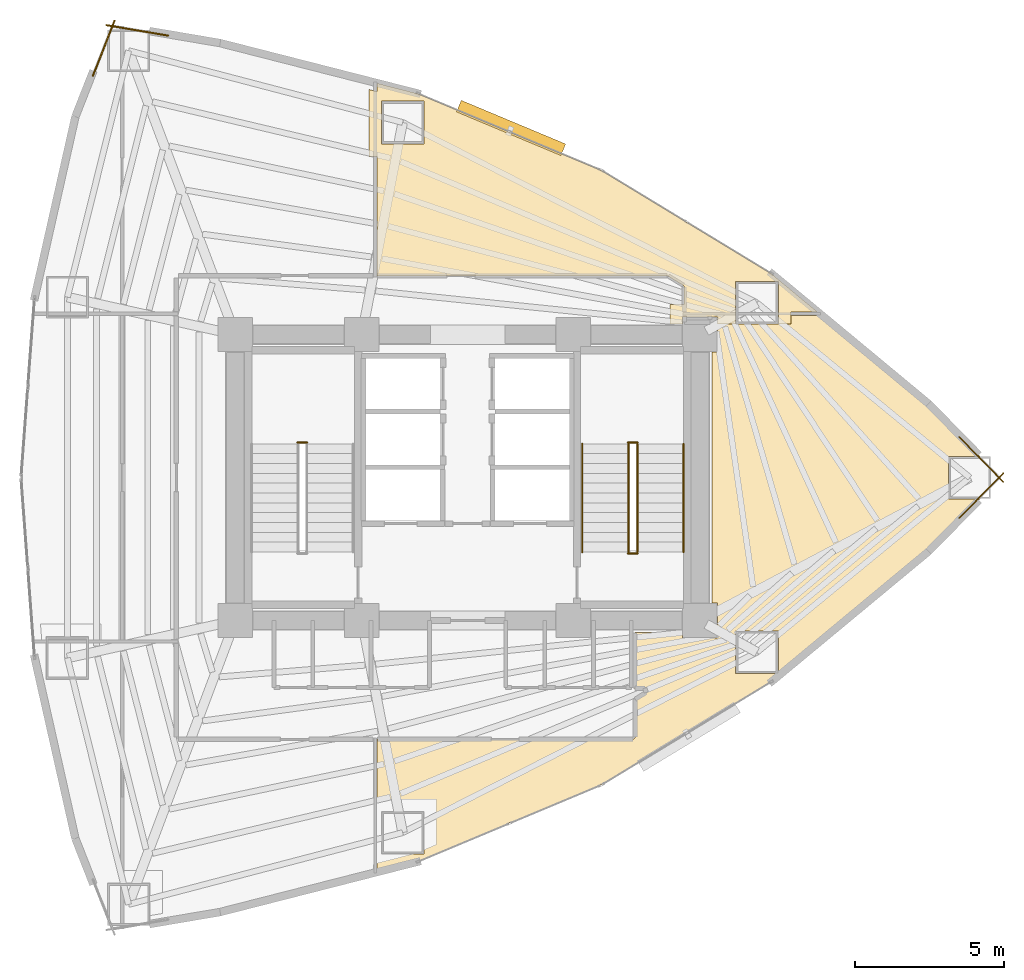
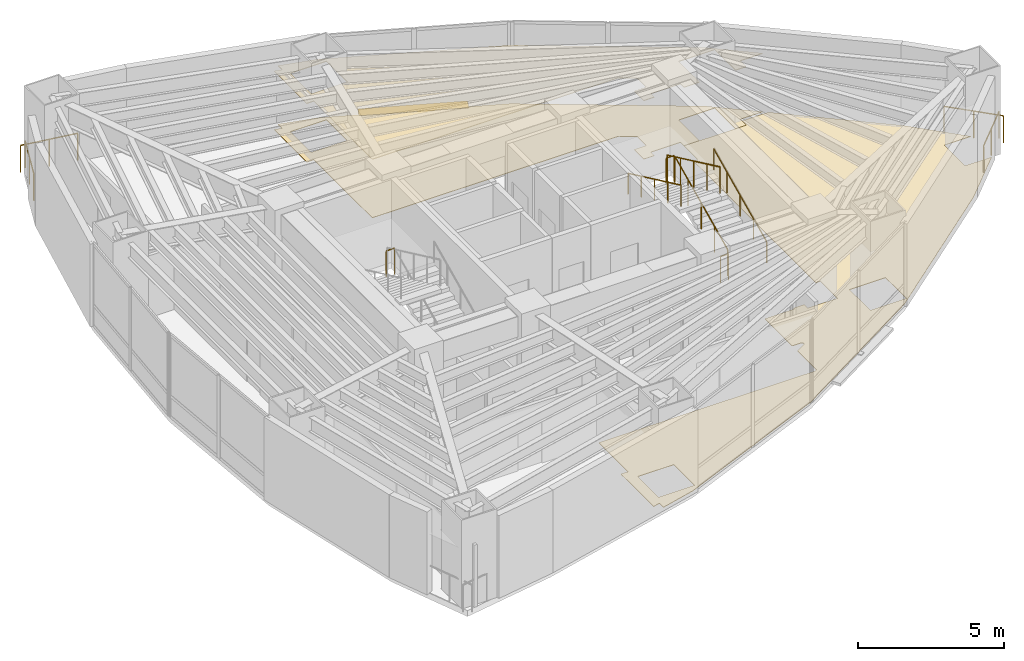
# One storey, part 17 of 17: 11 railings, 3 coverings, 1 shading device.
"""IFC4 building model written with IfcOpenShell, lengths in metres."""

from ifc_helpers import new_model, si_unit, direction, frame, origin, origin_2d, place, context, subcontext, project, spatial, polyline, rectangle, circle, outline, extrude, material, layer, layer_set, type_object, element, save


model = new_model("IFC4")

# Units and contexts
model_context = context("Model", 3, precision=1e-05, world=origin(), true_north=direction((0.0, 1.0)))
body_context = subcontext(model_context, "Body", "Model", "MODEL_VIEW")
ifc_project = project(units=[si_unit("LENGTHUNIT", "METRE"), si_unit("AREAUNIT", "SQUARE_METRE"), si_unit("VOLUMEUNIT", "CUBIC_METRE"), si_unit("PLANEANGLEUNIT", "RADIAN"), si_unit("MASSUNIT", "GRAM", prefix="KILO")], contexts=[model_context])

# Site, building, storey
site_placement = place(None, origin())
site = spatial("IfcSite", under=ifc_project, at=site_placement, CompositionType="ELEMENT")
building_placement = place(site_placement, origin())
building = spatial("IfcBuilding", under=site, at=building_placement, Name="Menara Vayukalpa", CompositionType="ELEMENT")
storey_placement = place(building_placement, frame((0.0, 0.0, 38.760009765625)))
storey = spatial("IfcBuildingStorey", under=building, at=storey_placement, Name="L08", CompositionType="ELEMENT", Elevation=38.760009765625)

# Coverings
ifc_material_1 = material(Name="Mineral Fibre Acoustic Ceiling Tile", Category="masonry")
ifc_layer_1 = layer(ifc_material_1, 0.02490234375)
ifc_layer_set_1 = layer_set([ifc_layer_1], Name="Mineral Fibre Acoustic Ceiling Tile")
covering_type_1 = type_object("IfcCoveringType", Name="COV-CLG1", PredefinedType="CEILING", material=ifc_layer_set_1)
covering_1_placement = place(storey_placement, frame((0.0, 0.0, 2.449951171875)))
element("IfcCovering", 1, at=covering_1_placement, inside=storey, type_object=covering_type_1, Name="L08 Executive Boardroom Acoustic Ceiling", PredefinedType="CEILING", context=body_context, shape_type="SweptSolid", body=[
    extrude(outline(polyline([(36.032958984375, 27.14990234375), (36.032958984375, 28.578125), (34.60302734375, 28.578125), (34.60302734375, 27.14990234375), (34.409912109375, 27.14990234375), (34.18310546875, 27.14990234375), (33.989990234375, 27.14990234375), (33.989990234375, 27.389892578125), (32.81005859375, 27.389892578125), (32.81005859375, 27.14990234375), (32.389892578125, 27.14990234375), (32.389892578125, 27.81005859375), (32.8701171875, 27.81005859375), (32.8701171875, 28.39453125), (32.86962890625, 28.40185546875), (32.868408203125, 28.408935546875), (32.86669921875, 28.416015625), (32.8642578125, 28.422607421875), (32.861083984375, 28.428955078125), (32.857177734375, 28.43505859375), (32.852783203125, 28.440673828125), (32.847900390625, 28.44580078125), (32.84228515625, 28.450439453125), (32.836181640625, 28.45458984375), (32.333984375, 28.759765625), (32.328125, 28.762939453125), (32.322509765625, 28.765380859375), (32.31640625, 28.767333984375), (32.31005859375, 28.768798828125), (32.3037109375, 28.769775390625), (32.297119140625, 28.77001953125), (22.570068359375, 28.77001953125), (22.569091796875, 28.77001953125), (22.568115234375, 28.770263671875), (22.567138671875, 28.7705078125), (22.566162109375, 28.770751953125), (22.565185546875, 28.771240234375), (22.564453125, 28.771728515625), (22.563720703125, 28.772216796875), (22.56298828125, 28.77294921875), (22.562255859375, 28.773681640625), (22.561767578125, 28.7744140625), (22.561279296875, 28.775390625), (22.560791015625, 28.776123046875), (22.560302734375, 28.777099609375), (22.560302734375, 28.778076171875), (22.56005859375, 28.779052734375), (22.56005859375, 28.780029296875), (22.56005859375, 32.787841796875), (22.284423828125, 32.787841796875), (22.284423828125, 35.03076171875), (22.56005859375, 34.96044921875), (22.56005859375, 35.226318359375), (22.56005859375, 35.227294921875), (22.560302734375, 35.228271484375), (22.560302734375, 35.22900390625), (22.560791015625, 35.22998046875), (22.56103515625, 35.23095703125), (22.5615234375, 35.231689453125), (22.562255859375, 35.232421875), (22.562744140625, 35.233154296875), (22.5634765625, 35.23388671875), (22.564208984375, 35.234619140625), (22.565185546875, 35.235107421875), (22.56591796875, 35.2353515625), (22.56689453125, 35.23583984375), (22.567626953125, 35.236083984375), (22.568603515625, 35.236083984375), (22.569580078125, 35.236328125), (22.570556640625, 35.236328125), (22.571533203125, 35.236083984375), (22.572509765625, 35.236083984375), (23.914794921875, 34.893798828125), (23.916015625, 34.893310546875), (30.08984375, 32.310791015625), (30.090576171875, 32.310302734375), (30.09130859375, 32.31005859375), (35.810791015625, 28.835693359375), (35.81201171875, 28.834716796875), (37.327880859375, 27.57763671875), (37.32861328125, 27.576904296875), (37.3291015625, 27.576416015625), (37.32958984375, 27.575439453125), (37.330078125, 27.57470703125), (37.330810546875, 27.57373046875), (37.3310546875, 27.572998046875), (37.331298828125, 27.572021484375), (37.331298828125, 27.57080078125), (37.331298828125, 27.570068359375), (37.331298828125, 27.569091796875), (37.331298828125, 27.568115234375), (37.3310546875, 27.567138671875), (37.33056640625, 27.566162109375), (37.330078125, 27.565185546875), (37.32958984375, 27.564453125), (37.3291015625, 27.563720703125), (37.32861328125, 27.56298828125), (37.32763671875, 27.562255859375), (37.326904296875, 27.561767578125), (37.326171875, 27.561279296875), (37.3251953125, 27.560791015625), (37.32421875, 27.560302734375), (37.3232421875, 27.560302734375), (37.322509765625, 27.56005859375), (37.3212890625, 27.56005859375), (36.452880859375, 27.56005859375), (36.452880859375, 27.14990234375), (36.032958984375, 27.14990234375)]), holes=[polyline([(24.134521484375, 33.207763671875), (24.134521484375, 34.6376953125), (22.704345703125, 34.6376953125), (22.704345703125, 33.207763671875), (24.134521484375, 33.207763671875)])]), origin(), (0.0, 0.0, 1.0), 0.025146484375),
])
ifc_material_2 = material(Name="Porcelain Stoneware Floor Tile", Category="masonry")
ifc_layer_2 = layer(ifc_material_2, 0.02001953125)
ifc_layer_set_2 = layer_set([ifc_layer_2], Name="Porcelain Stoneware Floor Tile")
covering_type_2 = type_object("IfcCoveringType", Name="COV-FLR1", PredefinedType="FLOORING", material=ifc_layer_set_2)
covering_2_placement = place(storey_placement, origin())
element("IfcCovering", 2, at=covering_2_placement, inside=storey, type_object=covering_type_2, Name="L08 Executive Boardroom Porcelain Flooring", PredefinedType="FLOORING", context=body_context, shape_type="SweptSolid", body=[
    extrude(outline(polyline([(22.284423828125, 11.212158203125), (22.56005859375, 11.212158203125), (22.56005859375, 13.2099609375), (22.56005859375, 13.2109375), (22.560302734375, 13.2119140625), (22.560302734375, 13.212890625), (22.560791015625, 13.2138671875), (22.561279296875, 13.214599609375), (22.561767578125, 13.215576171875), (22.562255859375, 13.21630859375), (22.56298828125, 13.217041015625), (22.563720703125, 13.2177734375), (22.564453125, 13.21826171875), (22.565185546875, 13.21875), (22.566162109375, 13.21923828125), (22.567138671875, 13.219482421875), (22.568115234375, 13.2197265625), (22.569091796875, 13.219970703125), (22.570068359375, 13.219970703125), (31.149658203125, 13.219970703125), (31.15673828125, 13.220458984375), (31.163818359375, 13.22119140625), (31.17041015625, 13.222900390625), (31.1767578125, 13.225341796875), (31.18310546875, 13.228271484375), (31.188720703125, 13.231689453125), (31.194580078125, 13.236083984375), (31.199462890625, 13.240478515625), (31.2041015625, 13.24560546875), (31.208251953125, 13.251220703125), (31.2119140625, 13.257080078125), (31.214599609375, 13.26318359375), (31.217041015625, 13.269775390625), (31.21875, 13.2763671875), (31.219482421875, 13.283203125), (31.219970703125, 13.290283203125), (31.219970703125, 14.55810546875), (31.22021484375, 14.55908203125), (31.22021484375, 14.56005859375), (31.220458984375, 14.56103515625), (31.220703125, 14.56201171875), (31.22119140625, 14.56298828125), (31.2216796875, 14.563720703125), (31.222412109375, 14.564697265625), (31.22314453125, 14.565185546875), (31.22412109375, 14.56591796875), (31.224853515625, 14.56640625), (31.5927734375, 14.7900390625), (31.5986328125, 14.794189453125), (31.60400390625, 14.798583984375), (31.60888671875, 14.803466796875), (31.61328125, 14.80908203125), (31.6171875, 14.81494140625), (31.620361328125, 14.821044921875), (31.622802734375, 14.82763671875), (31.624755859375, 14.83447265625), (31.626220703125, 14.84130859375), (31.626708984375, 14.84814453125), (31.62646484375, 14.85498046875), (31.62548828125, 14.862060546875), (31.6240234375, 14.868896484375), (31.621826171875, 14.87548828125), (31.618896484375, 14.8818359375), (31.615478515625, 14.887939453125), (31.611328125, 14.8935546875), (31.606689453125, 14.898681640625), (31.6015625, 14.903564453125), (31.59619140625, 14.90771484375), (31.590087890625, 14.911376953125), (31.583740234375, 14.91455078125), (31.5771484375, 14.916748046875), (31.570556640625, 14.918701171875), (31.563720703125, 14.919677734375), (31.556396484375, 14.919921875), (31.219970703125, 14.919921875), (31.218994140625, 14.919921875), (31.218017578125, 14.920166015625), (31.217041015625, 14.92041015625), (31.21630859375, 14.9208984375), (31.21533203125, 14.921142578125), (31.21435546875, 14.921630859375), (31.213623046875, 14.92236328125), (31.212890625, 14.9228515625), (31.21240234375, 14.923583984375), (31.211669921875, 14.92431640625), (31.211181640625, 14.92529296875), (31.210693359375, 14.92626953125), (31.21044921875, 14.927001953125), (31.210205078125, 14.927978515625), (31.2099609375, 14.928955078125), (31.2099609375, 14.929931640625), (31.2099609375, 16.780029296875), (31.2099609375, 16.781005859375), (31.210205078125, 16.781982421875), (31.21044921875, 16.782958984375), (31.210693359375, 16.78369140625), (31.211181640625, 16.78466796875), (31.211669921875, 16.78564453125), (31.21240234375, 16.786376953125), (31.212890625, 16.787109375), (31.213623046875, 16.78759765625), (31.21435546875, 16.788330078125), (31.21533203125, 16.788818359375), (31.21630859375, 16.789306640625), (31.217041015625, 16.78955078125), (31.218017578125, 16.789794921875), (31.218994140625, 16.7900390625), (31.219970703125, 16.7900390625), (32.389892578125, 16.7900390625), (32.389892578125, 16.85009765625), (32.81005859375, 16.85009765625), (32.81005859375, 16.610107421875), (33.989990234375, 16.610107421875), (33.989990234375, 17.7900390625), (33.81005859375, 17.7900390625), (33.81005859375, 26.2099609375), (33.989990234375, 26.2099609375), (33.989990234375, 27.389892578125), (32.81005859375, 27.389892578125), (32.81005859375, 27.14990234375), (32.389892578125, 27.14990234375), (32.389892578125, 27.81005859375), (34.18310546875, 27.81005859375), (34.18310546875, 28.998291015625), (35.023193359375, 28.998291015625), (35.654296875, 28.61474609375), (35.698486328125, 28.578125), (34.60302734375, 28.578125), (34.60302734375, 27.148193359375), (36.032958984375, 27.148193359375), (36.032958984375, 28.30078125), (36.452880859375, 27.952392578125), (36.452880859375, 27.43994140625), (37.45263671875, 27.43994140625), (37.458740234375, 27.440185546875), (37.46435546875, 27.441162109375), (37.47021484375, 27.442626953125), (37.475830078125, 27.444580078125), (37.47802734375, 27.445556640625), (37.478759765625, 27.446044921875), (37.479736328125, 27.4462890625), (37.480712890625, 27.446533203125), (37.481689453125, 27.446533203125), (37.482666015625, 27.446533203125), (37.4833984375, 27.446533203125), (37.484619140625, 27.4462890625), (37.4853515625, 27.446044921875), (37.486328125, 27.44580078125), (37.487060546875, 27.4453125), (37.48779296875, 27.44482421875), (37.48876953125, 27.4443359375), (41.07763671875, 24.468017578125), (41.078369140625, 24.46728515625), (42.798828125, 22.715087890625), (41.749755859375, 22.715087890625), (41.749755859375, 21.284912109375), (42.798828125, 21.284912109375), (41.078369140625, 19.53271484375), (41.07763671875, 19.531982421875), (35.81201171875, 15.165283203125), (35.810791015625, 15.164306640625), (30.09130859375, 11.68994140625), (30.090576171875, 11.689697265625), (30.08984375, 11.689208984375), (23.916015625, 9.106689453125), (23.914794921875, 9.106201171875), (22.572509765625, 8.763916015625), (22.571533203125, 8.763916015625), (22.570556640625, 8.763671875), (22.569580078125, 8.763671875), (22.568603515625, 8.763916015625), (22.567626953125, 8.763916015625), (22.56689453125, 8.76416015625), (22.56591796875, 8.7646484375), (22.565185546875, 8.764892578125), (22.564208984375, 8.765380859375), (22.5634765625, 8.76611328125), (22.562744140625, 8.766845703125), (22.562255859375, 8.767578125), (22.5615234375, 8.768310546875), (22.56103515625, 8.76904296875), (22.560791015625, 8.77001953125), (22.560302734375, 8.77099609375), (22.560302734375, 8.771728515625), (22.56005859375, 8.772705078125), (22.56005859375, 8.773681640625), (22.56005859375, 9.03955078125), (22.284423828125, 8.96923828125), (22.284423828125, 11.212158203125)]), holes=[polyline([(24.134521484375, 10.792236328125), (22.704345703125, 10.792236328125), (22.704345703125, 9.3623046875), (24.134521484375, 9.3623046875), (24.134521484375, 10.792236328125)]), polyline([(36.032958984375, 16.851806640625), (34.60302734375, 16.851806640625), (34.60302734375, 15.421875), (36.032958984375, 15.421875), (36.032958984375, 16.851806640625)])]), origin(), (0.0, 0.0, 1.0), 0.02001953125),
])
covering_3_placement = place(storey_placement, origin())
element("IfcCovering", 3, at=covering_3_placement, inside=storey, type_object=covering_type_2, Name="L08 Executive Boardroom Porcelain Flooring", PredefinedType="FLOORING", context=body_context, shape_type="SweptSolid", body=[
    extrude(outline(polyline([(36.032958984375, 27.14990234375), (36.032958984375, 28.578125), (34.60302734375, 28.578125), (34.60302734375, 27.14990234375), (34.409912109375, 27.14990234375), (34.18310546875, 27.14990234375), (33.989990234375, 27.14990234375), (33.989990234375, 27.389892578125), (32.81005859375, 27.389892578125), (32.81005859375, 27.14990234375), (32.389892578125, 27.14990234375), (32.389892578125, 27.81005859375), (32.8701171875, 27.81005859375), (32.8701171875, 28.39453125), (32.86962890625, 28.40185546875), (32.868408203125, 28.408935546875), (32.86669921875, 28.416015625), (32.8642578125, 28.422607421875), (32.861083984375, 28.428955078125), (32.857177734375, 28.43505859375), (32.852783203125, 28.440673828125), (32.847900390625, 28.44580078125), (32.84228515625, 28.450439453125), (32.836181640625, 28.45458984375), (32.333984375, 28.759765625), (32.328125, 28.762939453125), (32.322509765625, 28.765380859375), (32.31640625, 28.767333984375), (32.31005859375, 28.768798828125), (32.3037109375, 28.769775390625), (32.297119140625, 28.77001953125), (22.570068359375, 28.77001953125), (22.569091796875, 28.77001953125), (22.568115234375, 28.770263671875), (22.567138671875, 28.7705078125), (22.566162109375, 28.770751953125), (22.565185546875, 28.771240234375), (22.564453125, 28.771728515625), (22.563720703125, 28.772216796875), (22.56298828125, 28.77294921875), (22.562255859375, 28.773681640625), (22.561767578125, 28.7744140625), (22.561279296875, 28.775390625), (22.560791015625, 28.776123046875), (22.560302734375, 28.777099609375), (22.560302734375, 28.778076171875), (22.56005859375, 28.779052734375), (22.56005859375, 28.780029296875), (22.56005859375, 32.787841796875), (22.284423828125, 32.787841796875), (22.284423828125, 35.03076171875), (22.56005859375, 34.96044921875), (22.56005859375, 35.226318359375), (22.56005859375, 35.227294921875), (22.560302734375, 35.228271484375), (22.560302734375, 35.22900390625), (22.560791015625, 35.22998046875), (22.56103515625, 35.23095703125), (22.5615234375, 35.231689453125), (22.562255859375, 35.232421875), (22.562744140625, 35.233154296875), (22.5634765625, 35.23388671875), (22.564208984375, 35.234619140625), (22.565185546875, 35.235107421875), (22.56591796875, 35.2353515625), (22.56689453125, 35.23583984375), (22.567626953125, 35.236083984375), (22.568603515625, 35.236083984375), (22.569580078125, 35.236328125), (22.570556640625, 35.236328125), (22.571533203125, 35.236083984375), (22.572509765625, 35.236083984375), (23.914794921875, 34.893798828125), (23.916015625, 34.893310546875), (30.08984375, 32.310791015625), (30.090576171875, 32.310302734375), (30.09130859375, 32.31005859375), (35.810791015625, 28.835693359375), (35.81201171875, 28.834716796875), (37.327880859375, 27.57763671875), (37.32861328125, 27.576904296875), (37.3291015625, 27.576416015625), (37.32958984375, 27.575439453125), (37.330078125, 27.57470703125), (37.330810546875, 27.57373046875), (37.3310546875, 27.572998046875), (37.331298828125, 27.572021484375), (37.331298828125, 27.57080078125), (37.331298828125, 27.570068359375), (37.331298828125, 27.569091796875), (37.331298828125, 27.568115234375), (37.3310546875, 27.567138671875), (37.33056640625, 27.566162109375), (37.330078125, 27.565185546875), (37.32958984375, 27.564453125), (37.3291015625, 27.563720703125), (37.32861328125, 27.56298828125), (37.32763671875, 27.562255859375), (37.326904296875, 27.561767578125), (37.326171875, 27.561279296875), (37.3251953125, 27.560791015625), (37.32421875, 27.560302734375), (37.3232421875, 27.560302734375), (37.322509765625, 27.56005859375), (37.3212890625, 27.56005859375), (36.452880859375, 27.56005859375), (36.452880859375, 27.14990234375), (36.032958984375, 27.14990234375)]), holes=[polyline([(24.134521484375, 33.207763671875), (24.134521484375, 34.6376953125), (22.704345703125, 34.6376953125), (22.704345703125, 33.207763671875), (24.134521484375, 33.207763671875)])]), origin(), (0.0, 0.0, 1.0), 0.02001953125),
])

# Railings
ifc_material_3 = material(Name="Laminated Glass and Stainless Steel 316 Guardrail", Category="steel")
railing_type_1 = type_object("IfcRailingType", Name="RLG-EXT115", PredefinedType="GUARDRAIL", material=ifc_material_3)
railing_1_placement = place(storey_placement, frame((42.10888671875, 20.6396484375, 0.0)))
element("IfcRailing", 4, at=railing_1_placement, inside=storey, type_object=railing_type_1, Name="L08 Column Corner Spandrel Guardrail 01-1", PredefinedType="GUARDRAIL", context=body_context, shape_type="SweptSolid", body=[
    extrude(circle(Radius=0.02392578125, at=origin_2d()), frame((0.0, 0.0, 1.1259765625), z_axis=(0.700673401428, 0.713482154319, 0.0), x_axis=(-0.713482154319, 0.700673401428, 0.0)), (0.0, 0.0, 1.0), 2.11572265625),
    extrude(circle(Radius=0.02099609375, at=origin_2d()), origin(), (0.0, 0.0, 1.0), 1.101806640625),
    extrude(circle(Radius=0.02099609375, at=origin_2d()), frame((0.7412109375, 0.7548828125, 0.0)), (0.0, 0.0, 1.0), 1.101806640625),
    extrude(circle(Radius=0.02099609375, at=origin_2d()), frame((1.482421875, 1.509521484375, 0.0)), (0.0, 0.0, 1.0), 1.101806640625),
])
railing_2_placement = place(storey_placement, frame((43.59130859375, 21.850830078125, 0.0)))
element("IfcRailing", 5, at=railing_2_placement, inside=storey, type_object=railing_type_1, Name="L08 Column Corner Spandrel Guardrail 02-1", PredefinedType="GUARDRAIL", context=body_context, shape_type="SweptSolid", body=[
    extrude(circle(Radius=0.02392578125, at=origin_2d()), frame((0.0, 0.0, 1.1259765625), z_axis=(-0.700673401428, 0.713482154319, 0.0), x_axis=(-0.713482154319, -0.700673401428, 0.0)), (0.0, 0.0, 1.0), 2.11572265625),
    extrude(circle(Radius=0.02099609375, at=origin_2d()), origin(), (0.0, 0.0, 1.0), 1.101806640625),
    extrude(circle(Radius=0.02099609375, at=origin_2d()), frame((-0.7412109375, 0.7548828125, 0.0)), (0.0, 0.0, 1.0), 1.101806640625),
    extrude(circle(Radius=0.02099609375, at=origin_2d()), frame((-1.482421875, 1.509521484375, 0.0)), (0.0, 0.0, 1.0), 1.101806640625),
])
railing_3_placement = place(storey_placement, frame((15.541015625, 36.840087890625, 0.0)))
element("IfcRailing", 6, at=railing_3_placement, inside=storey, type_object=railing_type_1, Name="L08 Column Corner Spandrel Guardrail 07-1", PredefinedType="GUARDRAIL", context=body_context, shape_type="SweptSolid", body=[
    extrude(circle(Radius=0.02392578125, at=origin_2d()), frame((0.0, 0.0, 1.1259765625), z_axis=(-0.985904350491, 0.167309927029, 0.0), x_axis=(-0.167309927029, -0.985904350491, 0.0)), (0.0, 0.0, 1.0), 2.093994140625),
    extrude(circle(Radius=0.02099609375, at=origin_2d()), origin(), (0.0, 0.0, 1.0), 1.101806640625),
    extrude(circle(Radius=0.02099609375, at=origin_2d()), frame((-1.0322265625, 0.17529296875, 0.0)), (0.0, 0.0, 1.0), 1.101806640625),
    extrude(circle(Radius=0.02099609375, at=origin_2d()), frame((-2.064453125, 0.350341796875, 0.0)), (0.0, 0.0, 1.0), 1.101806640625),
])
railing_4_placement = place(storey_placement, frame((13.74755859375, 37.343505859375, 0.0)))
element("IfcRailing", 7, at=railing_4_placement, inside=storey, type_object=railing_type_1, Name="L08 Column Corner Spandrel Guardrail 08-1", PredefinedType="GUARDRAIL", context=body_context, shape_type="SweptSolid", body=[
    extrude(circle(Radius=0.02392578125, at=origin_2d()), frame((0.0, 0.0, 1.1259765625), z_axis=(-0.365580158762, -0.930779859859, 0.0), x_axis=(0.930779859859, -0.365580158762, 0.0)), (0.0, 0.0, 1.0), 1.9873046875),
    extrude(circle(Radius=0.02099609375, at=origin_2d()), origin(), (0.0, 0.0, 1.0), 1.101806640625),
    extrude(circle(Radius=0.02099609375, at=origin_2d()), frame((-0.36328125, -0.9248046875, 0.0)), (0.0, 0.0, 1.0), 1.101806640625),
    extrude(circle(Radius=0.02099609375, at=origin_2d()), frame((-0.7265625, -1.849853515625, 0.0)), (0.0, 0.0, 1.0), 1.101806640625),
])
ifc_material_4 = material(Name="Powder-Coated Galvanised Steel Guardrail", Category="steel")
railing_type_2 = type_object("IfcRailingType", Name="RLG-STG110", PredefinedType="GUARDRAIL", material=ifc_material_4)
railing_5_placement = place(storey_placement, frame((20.2099609375, 23.179931640625, 1.860107421875)))
element("IfcRailing", 8, at=railing_5_placement, inside=storey, type_object=railing_type_2, Name="L08 ST-1 stair guard 2", PredefinedType="GUARDRAIL", context=body_context, shape_type="SweptSolid", body=[
    extrude(circle(Radius=0.02392578125, at=origin_2d()), frame((0.0, 0.0, 1.09619140625), z_axis=(-1.0, 0.0, 0.0), x_axis=(0.0, -1.0, 0.0)), (0.0, 0.0, 1.0), 0.320068359375),
    extrude(circle(Radius=0.02099609375, at=origin_2d()), origin(), (0.0, 0.0, 1.0), 1.072021484375),
    extrude(circle(Radius=0.02099609375, at=origin_2d()), frame((-0.320068359375, 0.0, 0.0)), (0.0, 0.0, 1.0), 1.072021484375),
])
railing_6_placement = place(storey_placement, frame((31.300048828125, 19.5, 0.155029296875)))
element("IfcRailing", 9, at=railing_6_placement, inside=storey, type_object=railing_type_2, Name="L08 ST-2 stair guard 1", PredefinedType="GUARDRAIL", context=body_context, shape_type="SweptSolid", body=[
    extrude(circle(Radius=0.02392578125, at=origin_2d()), frame((0.0, 0.0, 1.09619140625), z_axis=(0.0, 0.90511648382, 0.425163675209), x_axis=(-1.0, 0.0, 0.0)), (0.0, 0.0, 1.0), 4.010498046875),
    extrude(circle(Radius=0.02099609375, at=origin_2d()), origin(), (0.0, 0.0, 1.0), 1.072021484375),
    extrude(circle(Radius=0.02099609375, at=origin_2d()), frame((0.0, 0.907470703125, 0.42626953125)), (0.0, 0.0, 1.0), 1.072021484375),
    extrude(circle(Radius=0.02099609375, at=origin_2d()), frame((0.0, 1.81494140625, 0.8525390625)), (0.0, 0.0, 1.0), 1.072021484375),
    extrude(circle(Radius=0.02099609375, at=origin_2d()), frame((0.0, 2.722412109375, 1.27880859375)), (0.0, 0.0, 1.0), 1.072021484375),
    extrude(circle(Radius=0.02099609375, at=origin_2d()), frame((0.0, 3.6298828125, 1.705078125)), (0.0, 0.0, 1.0), 1.072021484375),
])
railing_7_placement = place(storey_placement, frame((31.31005859375, 23.179931640625, 1.860107421875)))
element("IfcRailing", 10, at=railing_7_placement, inside=storey, type_object=railing_type_2, Name="L08 ST-2 stair guard 2", PredefinedType="GUARDRAIL", context=body_context, shape_type="SweptSolid", body=[
    extrude(circle(Radius=0.02392578125, at=origin_2d()), frame((0.0, 0.0, 1.09619140625), z_axis=(-1.0, 0.0, 0.0), x_axis=(0.0, -1.0, 0.0)), (0.0, 0.0, 1.0), 0.320068359375),
    extrude(circle(Radius=0.02099609375, at=origin_2d()), origin(), (0.0, 0.0, 1.0), 1.072021484375),
    extrude(circle(Radius=0.02099609375, at=origin_2d()), frame((-0.320068359375, 0.0, 0.0)), (0.0, 0.0, 1.0), 1.072021484375),
])
railing_8_placement = place(storey_placement, frame((31.0, 23.1298828125, 2.014892578125)))
element("IfcRailing", 11, at=railing_8_placement, inside=storey, type_object=railing_type_2, Name="L08 ST-2 stair guard 3", PredefinedType="GUARDRAIL", context=body_context, shape_type="SweptSolid", body=[
    extrude(circle(Radius=0.02392578125, at=origin_2d()), frame((0.0, 0.0, 1.09619140625), z_axis=(0.0, -0.90511648382, 0.425163675209), x_axis=(1.0, 0.0, 0.0)), (0.0, 0.0, 1.0), 4.010498046875),
    extrude(circle(Radius=0.02099609375, at=origin_2d()), origin(), (0.0, 0.0, 1.0), 1.072021484375),
    extrude(circle(Radius=0.02099609375, at=origin_2d()), frame((0.0, -0.907470703125, 0.42626953125)), (0.0, 0.0, 1.0), 1.072021484375),
    extrude(circle(Radius=0.02099609375, at=origin_2d()), frame((0.0, -1.81494140625, 0.8525390625)), (0.0, 0.0, 1.0), 1.072021484375),
    extrude(circle(Radius=0.02099609375, at=origin_2d()), frame((0.0, -2.722412109375, 1.27880859375)), (0.0, 0.0, 1.0), 1.072021484375),
    extrude(circle(Radius=0.02099609375, at=origin_2d()), frame((0.0, -3.6298828125, 1.705078125)), (0.0, 0.0, 1.0), 1.072021484375),
])
railing_9_placement = place(storey_placement, frame((31.31005859375, 19.449951171875, 0.0)))
element("IfcRailing", 12, at=railing_9_placement, inside=storey, type_object=railing_type_2, Name="L08 ST-2 stair guard 4", PredefinedType="GUARDRAIL", context=body_context, shape_type="SweptSolid", body=[
    extrude(circle(Radius=0.02392578125, at=origin_2d()), frame((0.0, 0.0, 1.09619140625), z_axis=(-1.0, 0.0, 0.0), x_axis=(0.0, -1.0, 0.0)), (0.0, 0.0, 1.0), 0.320068359375),
    extrude(circle(Radius=0.02099609375, at=origin_2d()), origin(), (0.0, 0.0, 1.0), 1.072021484375),
    extrude(circle(Radius=0.02099609375, at=origin_2d()), frame((-0.320068359375, 0.0, 0.0)), (0.0, 0.0, 1.0), 1.072021484375),
])
ifc_material_5 = material(Name="Stainless Steel 316 Tubular Handrail", Category="steel")
railing_type_3 = type_object("IfcRailingType", Name="RLG-STH090", PredefinedType="HANDRAIL", material=ifc_material_5)
railing_10_placement = place(storey_placement, frame((32.85009765625, 19.5, 0.155029296875)))
element("IfcRailing", 13, at=railing_10_placement, inside=storey, type_object=railing_type_3, Name="L08 ST-2 stair handrail 1", PredefinedType="HANDRAIL", context=body_context, shape_type="SweptSolid", body=[
    extrude(circle(Radius=0.02392578125, at=origin_2d()), frame((0.0, 0.0, 0.8759765625), z_axis=(0.0, 0.90511648382, 0.425163675209), x_axis=(-1.0, 0.0, 0.0)), (0.0, 0.0, 1.0), 4.010498046875),
    extrude(circle(Radius=0.02099609375, at=origin_2d()), origin(), (0.0, 0.0, 1.0), 0.851806640625),
    extrude(circle(Radius=0.02099609375, at=origin_2d()), frame((0.0, 0.907470703125, 0.42626953125)), (0.0, 0.0, 1.0), 0.851806640625),
    extrude(circle(Radius=0.02099609375, at=origin_2d()), frame((0.0, 1.81494140625, 0.8525390625)), (0.0, 0.0, 1.0), 0.851806640625),
    extrude(circle(Radius=0.02099609375, at=origin_2d()), frame((0.0, 2.722412109375, 1.27880859375)), (0.0, 0.0, 1.0), 0.851806640625),
    extrude(circle(Radius=0.02099609375, at=origin_2d()), frame((0.0, 3.6298828125, 1.705078125)), (0.0, 0.0, 1.0), 0.851806640625),
])
railing_11_placement = place(storey_placement, frame((29.449951171875, 23.1298828125, 2.014892578125)))
element("IfcRailing", 14, at=railing_11_placement, inside=storey, type_object=railing_type_3, Name="L08 ST-2 stair handrail 2", PredefinedType="HANDRAIL", context=body_context, shape_type="SweptSolid", body=[
    extrude(circle(Radius=0.02392578125, at=origin_2d()), frame((0.0, 0.0, 0.8759765625), z_axis=(0.0, -0.90511648382, 0.425163675209), x_axis=(1.0, 0.0, 0.0)), (0.0, 0.0, 1.0), 4.010498046875),
    extrude(circle(Radius=0.02099609375, at=origin_2d()), origin(), (0.0, 0.0, 1.0), 0.851806640625),
    extrude(circle(Radius=0.02099609375, at=origin_2d()), frame((0.0, -0.907470703125, 0.42626953125)), (0.0, 0.0, 1.0), 0.851806640625),
    extrude(circle(Radius=0.02099609375, at=origin_2d()), frame((0.0, -1.81494140625, 0.8525390625)), (0.0, 0.0, 1.0), 0.851806640625),
    extrude(circle(Radius=0.02099609375, at=origin_2d()), frame((0.0, -2.722412109375, 1.27880859375)), (0.0, 0.0, 1.0), 0.851806640625),
    extrude(circle(Radius=0.02099609375, at=origin_2d()), frame((0.0, -3.6298828125, 1.705078125)), (0.0, 0.0, 1.0), 0.851806640625),
])

# Shading device
ifc_material_6 = material(Name="Glazed Terracotta Ceramic Baguette Extrusion", Category="masonry")
ifc_layer_3 = layer(ifc_material_6, 0.1201171875)
ifc_layer_set_3 = layer_set([ifc_layer_3], Name="Glazed Terracotta Ceramic Baguette Extrusion")
shading_device_type = type_object("IfcShadingDeviceType", Name="SHD-SS1", PredefinedType="USERDEFINED", material=ifc_layer_set_3)
shading_device_placement = place(storey_placement, frame((27.060791015625, 33.740478515625, -0.10009765625), z_axis=(0.0, 0.0, 1.0), x_axis=(-0.922544824647, 0.385889940938, 0.0)))
element("IfcShadingDevice", 15, at=shading_device_placement, inside=storey, type_object=shading_device_type, Name="L08 Horizontal Terracotta Sunshade Band 05", ObjectType="SUNSHADE", PredefinedType="USERDEFINED", context=body_context, shape_type="SweptSolid", body=[
    extrude(rectangle(XDim=3.800048828125, YDim=0.419921875, at=origin_2d()), origin(), (0.0, 0.0, 1.0), 0.1201171875),
])

save(model, "model.ifc")
